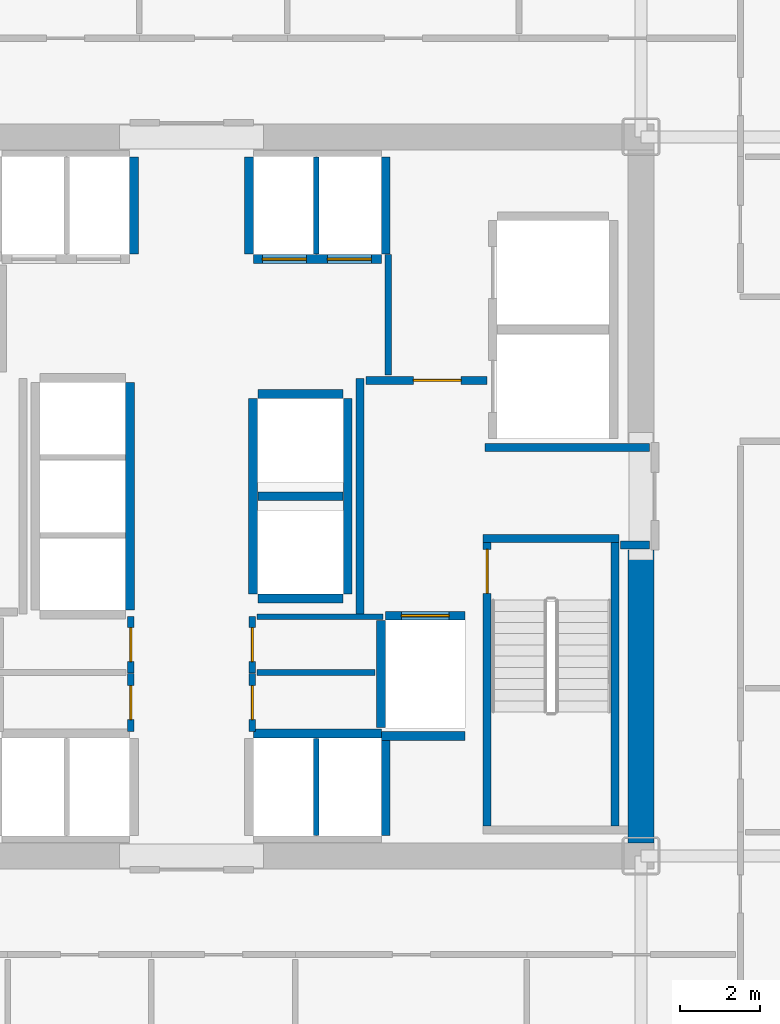
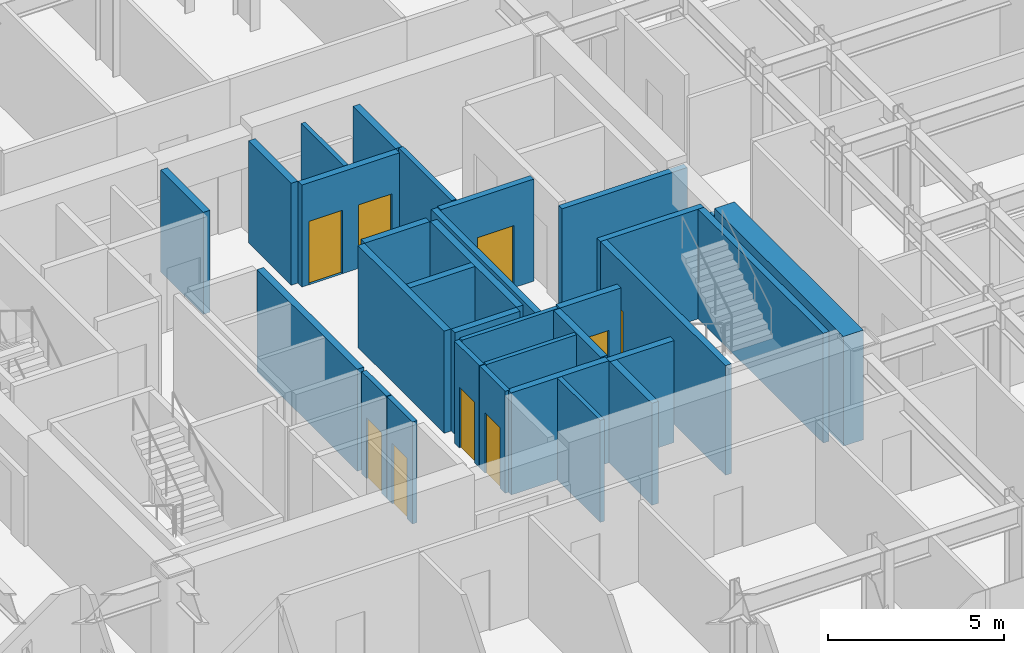
# One storey, part 22 of 26: 32 walls, 9 doors, 9 openings.
"""IFC4 building model written with IfcOpenShell, lengths in metres."""

from ifc_helpers import new_model, si_unit, direction, frame, frame_2d, origin, place, context, subcontext, project, spatial, rectangle, extrude, source, transform, mapped, material, layer, layer_set, type_object, element, fill, save


model = new_model("IFC4")

# Units and contexts
model_context = context("Model", 3, precision=1e-05, world=origin(), true_north=direction((0.0, 1.0)))
body_context = subcontext(model_context, "Body", "Model", "MODEL_VIEW")
ifc_project = project(units=[si_unit("LENGTHUNIT", "METRE"), si_unit("AREAUNIT", "SQUARE_METRE"), si_unit("VOLUMEUNIT", "CUBIC_METRE"), si_unit("PLANEANGLEUNIT", "RADIAN"), si_unit("MASSUNIT", "GRAM", prefix="KILO")], contexts=[model_context])

# Site, building, storey
site_placement = place(None, origin())
site = spatial("IfcSite", under=ifc_project, at=site_placement, CompositionType="ELEMENT")
building_placement = place(site_placement, origin())
building = spatial("IfcBuilding", under=site, at=building_placement, Name="Nefas-Gora Pilgrimage Tower", CompositionType="ELEMENT")
storey_placement = place(building_placement, frame((0.0, 0.0, 40.60009765625)))
storey = spatial("IfcBuildingStorey", under=building, at=storey_placement, Name="L08", CompositionType="ELEMENT", Elevation=40.60009765625)

# Walls
ifc_material_1 = material(Name="Concrete C60/75", Category="concrete")
ifc_layer_1 = layer(ifc_material_1, 0.64990234375)
ifc_layer_set_1 = layer_set([ifc_layer_1], Name="Concrete C60/75")
wall_type_1 = type_object("IfcWallType", Name="SW-CORE-650", PredefinedType="SHEAR", material=ifc_layer_set_1)
shared_shape_1 = source(origin(), body_context, "Body", "SweptSolid", [
    extrude(rectangle(XDim=7.324951171875, YDim=0.64990234375, at=frame_2d((3.66259765625, 0.0))), origin(), (0.0, 0.0, 1.0), 3.7998046875),
])
wall_1_placement = place(storey_placement, frame((11.25, -8.675048828125, 0.0), z_axis=(0.0, 0.0, 1.0), x_axis=(0.0, 1.0, 0.0)))
element("IfcWall", 1, at=wall_1_placement, inside=storey, type_object=wall_type_1, Name="L08 Core Shear Wall E-South", PredefinedType="SHEAR", context=body_context, shape_type="MappedRepresentation", body=[
    mapped(shared_shape_1, transform((0.0, 0.0, 0.0), x_axis=(1.0, 0.0, 0.0), y_axis=(0.0, 1.0, 0.0), z_axis=(0.0, 0.0, 1.0), scale=1.0)),
])
ifc_material_2 = material(Name="Concrete C45/55", Category="concrete")
ifc_layer_2 = layer(ifc_material_2, 0.199951171875)
ifc_layer_set_2 = layer_set([ifc_layer_2], Name="Concrete C45/55")
wall_type_2 = type_object("IfcWallType", Name="IW-STAIR-200", PredefinedType="SOLIDWALL", material=ifc_layer_set_2)
shared_shape_2 = source(origin(), body_context, "Body", "SweptSolid", [
    extrude(rectangle(XDim=3.39990234375, YDim=0.199951171875, at=frame_2d((1.699951171875, 0.0))), origin(), (0.0, 0.0, 1.0), 3.7998046875),
])
wall_2_placement = place(storey_placement, frame((7.300048828125, -1.050048828125, 0.0), z_axis=(0.0, 0.0, 1.0), x_axis=(1.0, 0.0, 0.0)))
element("IfcWall", 2, at=wall_2_placement, inside=storey, type_object=wall_type_2, Name="L08 Stairwell Shear Wall ST-02-near", PredefinedType="SOLIDWALL", context=body_context, shape_type="MappedRepresentation", body=[
    mapped(shared_shape_2, transform((0.0, 0.0, 0.0), x_axis=(1.0, 0.0, 0.0), y_axis=(0.0, 1.0, 0.0), z_axis=(0.0, 0.0, 1.0), scale=1.0)),
])

# Wall, opening, door
shared_shape_3 = source(origin(), body_context, "Body", "SweptSolid", [
    extrude(rectangle(XDim=7.10009765625, YDim=0.199951171875, at=frame_2d((3.550048828125, 0.0))), origin(), (0.0, 0.0, 1.0), 3.7998046875),
])
wall_3_placement = place(storey_placement, frame((7.39990234375, -1.14990234375, 0.0), z_axis=(0.0, 0.0, 1.0), x_axis=(0.0, -1.0, 0.0)))
wall_3 = element("IfcWall", 3, at=wall_3_placement, inside=storey, type_object=wall_type_2, Name="L08 Stairwell Shear Wall ST-02-left", PredefinedType="SOLIDWALL", context=body_context, shape_type="MappedRepresentation", body=[
    mapped(shared_shape_3, transform((0.0, 0.0, 0.0), x_axis=(1.0, 0.0, 0.0), y_axis=(0.0, 1.0, 0.0), z_axis=(0.0, 0.0, 1.0), scale=1.0)),
])
opening_1_placement = place(wall_3_placement, frame((0.179931640625, 0.0, 0.0)))
opening_1 = element("IfcOpeningElement", 4, at=opening_1_placement, cuts=wall_3, Name="Opening ID-ST1", PredefinedType="OPENING", context=body_context, shape_type="SweptSolid", body=[
    extrude(rectangle(XDim=1.10009765625, YDim=2.14990234375, at=frame_2d((0.550048828125, 1.074951171875))), frame((0.0, 0.10986328125, 0.0), z_axis=(0.0, -1.0, 0.0), x_axis=(1.0, 0.0, 0.0)), (0.0, 0.0, 1.0), 0.219970703125),
])
ifc_material_3 = material(Name="Painted galvanised steel fire stair door", Category="steel")
door_type_1 = type_object("IfcDoorType", Name="DR-INT-STAIR-1100", OperationType="NOTDEFINED", PredefinedType="DOOR", material=ifc_material_3)
shared_shape_4 = source(origin(), body_context, "Body", "SweptSolid", [
    extrude(rectangle(XDim=1.10009765625, YDim=2.14990234375, at=frame_2d((0.550048828125, 1.074951171875))), frame((0.0, 0.02490234375, 0.0), z_axis=(0.0, -1.0, 0.0), x_axis=(1.0, 0.0, 0.0)), (0.0, 0.0, 1.0), 0.050048828125),
])
door_1_placement = place(opening_1_placement, origin())
door_1 = element("IfcDoor", 5, at=door_1_placement, inside=storey, type_object=door_type_1, Name="L08 Protected Exit Stair Door ST-02", OperationType="SINGLE_SWING_LEFT", OverallHeight=2.14990234375, OverallWidth=1.10009765625, PredefinedType="DOOR", context=body_context, shape_type="MappedRepresentation", body=[
    mapped(shared_shape_4, transform((0.0, 0.0, 0.0), x_axis=(1.0, 0.0, 0.0), y_axis=(0.0, 1.0, 0.0), z_axis=(0.0, 0.0, 1.0), scale=1.0)),
])
fill(opening_1, door_1)

# Wall
wall_4_placement = place(storey_placement, frame((10.60009765625, -1.14990234375, 0.0), z_axis=(0.0, 0.0, 1.0), x_axis=(0.0, -1.0, 0.0)))
element("IfcWall", 6, at=wall_4_placement, inside=storey, type_object=wall_type_2, Name="L08 Stairwell Shear Wall ST-02-right", PredefinedType="SOLIDWALL", context=body_context, shape_type="MappedRepresentation", body=[
    mapped(shared_shape_3, transform((0.0, 0.0, 0.0), x_axis=(1.0, 0.0, 0.0), y_axis=(0.0, 1.0, 0.0), z_axis=(0.0, 0.0, 1.0), scale=1.0)),
])

# Wall, opening, door
ifc_material_4 = material(Name="Concrete C40/50", Category="concrete")
ifc_layer_3 = layer(ifc_material_4, 0.219970703125)
ifc_layer_set_3 = layer_set([ifc_layer_3], Name="Concrete C40/50")
wall_type_3 = type_object("IfcWallType", Name="IW-SHAFT-220", PredefinedType="SOLIDWALL", material=ifc_layer_set_3)
shared_shape_5 = source(origin(), body_context, "Body", "SweptSolid", [
    extrude(rectangle(XDim=2.0, YDim=0.219970703125, at=frame_2d((1.0, 0.0))), origin(), (0.0, 0.0, 1.0), 3.534912109375),
])
wall_5_placement = place(storey_placement, frame((6.85009765625, -2.989990234375, 0.0), z_axis=(0.0, 0.0, 1.0), x_axis=(-1.0, 0.0, 0.0)))
wall_5 = element("IfcWall", 7, at=wall_5_placement, inside=storey, type_object=wall_type_3, Name="L08 Hoistway Wall FFL-02-N", PredefinedType="SOLIDWALL", context=body_context, shape_type="MappedRepresentation", body=[
    mapped(shared_shape_5, transform((0.0, 0.0, 0.0), x_axis=(1.0, 0.0, 0.0), y_axis=(0.0, 1.0, 0.0), z_axis=(0.0, 0.0, 1.0), scale=1.0)),
])
opening_2_placement = place(wall_5_placement, frame((0.39990234375, 0.0, 0.0)))
opening_2 = element("IfcOpeningElement", 8, at=opening_2_placement, cuts=wall_5, Name="Opening LD-FF", PredefinedType="OPENING", context=body_context, shape_type="SweptSolid", body=[
    extrude(rectangle(XDim=1.199951171875, YDim=2.199951171875, at=frame_2d((0.60009765625, 1.10009765625))), frame((0.0, 0.119873046875, 0.0), z_axis=(0.0, -1.0, 0.0), x_axis=(1.0, 0.0, 0.0)), (0.0, 0.0, 1.0), 0.239990234375),
])
ifc_material_5 = material(Name="Fire-service sliding lift landing door")
door_type_2 = type_object("IfcDoorType", Name="DR-LIFT-FSAE-1200", OperationType="SLIDING_TO_LEFT", PredefinedType="DOOR", material=ifc_material_5)
shared_shape_6 = source(origin(), body_context, "Body", "SweptSolid", [
    extrude(rectangle(XDim=1.199951171875, YDim=2.199951171875, at=frame_2d((0.60009765625, 1.10009765625))), frame((0.0, 0.02490234375, 0.0), z_axis=(0.0, -1.0, 0.0), x_axis=(1.0, 0.0, 0.0)), (0.0, 0.0, 1.0), 0.050048828125),
])
door_2_placement = place(opening_2_placement, origin())
door_2 = element("IfcDoor", 9, at=door_2_placement, inside=storey, type_object=door_type_2, Name="L08 Sliding Lift Landing Door FFL-02", OperationType="SLIDING_TO_LEFT", OverallHeight=2.199951171875, OverallWidth=1.199951171875, PredefinedType="DOOR", context=body_context, shape_type="MappedRepresentation", body=[
    mapped(shared_shape_6, transform((0.0, 0.0, 0.0), x_axis=(1.0, 0.0, 0.0), y_axis=(0.0, 1.0, 0.0), z_axis=(0.0, 0.0, 1.0), scale=1.0)),
])
fill(opening_2, door_2)

# Wall
shared_shape_7 = source(origin(), body_context, "Body", "SweptSolid", [
    extrude(rectangle(XDim=2.679931640625, YDim=0.219970703125, at=frame_2d((1.33984375, 0.0))), origin(), (0.0, 0.0, 1.0), 3.534912109375),
])
wall_6_placement = place(storey_placement, frame((4.739990234375, -3.110107421875, 0.0), z_axis=(0.0, 0.0, 1.0), x_axis=(0.0, -1.0, 0.0)))
element("IfcWall", 10, at=wall_6_placement, inside=storey, type_object=wall_type_3, Name="L08 Hoistway Wall FFL-02-W", PredefinedType="SOLIDWALL", context=body_context, shape_type="MappedRepresentation", body=[
    mapped(shared_shape_7, transform((0.0, 0.0, 0.0), x_axis=(1.0, 0.0, 0.0), y_axis=(0.0, 1.0, 0.0), z_axis=(0.0, 0.0, 1.0), scale=1.0)),
])

# Wall, openings, doors
shared_shape_8 = source(origin(), body_context, "Body", "SweptSolid", [
    extrude(rectangle(XDim=3.199951171875, YDim=0.219970703125, at=frame_2d((1.60009765625, 0.0))), origin(), (0.0, 0.0, 1.0), 3.534912109375),
])
wall_7_placement = place(storey_placement, frame((1.550048828125, 5.93994140625, 0.0), z_axis=(0.0, 0.0, 1.0), x_axis=(1.0, 0.0, 0.0)))
wall_7 = element("IfcWall", 11, at=wall_7_placement, inside=storey, type_object=wall_type_3, Name="L08 Hoistway Wall PL1-E-S", PredefinedType="SOLIDWALL", context=body_context, shape_type="MappedRepresentation", body=[
    mapped(shared_shape_8, transform((0.0, 0.0, 0.0), x_axis=(1.0, 0.0, 0.0), y_axis=(0.0, 1.0, 0.0), z_axis=(0.0, 0.0, 1.0), scale=1.0)),
])
opening_3_placement = place(wall_7_placement, frame((0.22509765625, 0.0, 0.0)))
opening_3 = element("IfcOpeningElement", 12, at=opening_3_placement, cuts=wall_7, Name="Opening LD-01", PredefinedType="OPENING", context=body_context, shape_type="SweptSolid", body=[
    extrude(rectangle(XDim=1.10009765625, YDim=2.199951171875, at=frame_2d((0.550048828125, 1.10009765625))), frame((0.0, 0.119873046875, 0.0), z_axis=(0.0, -1.0, 0.0), x_axis=(1.0, 0.0, 0.0)), (0.0, 0.0, 1.0), 0.239990234375),
])
opening_4_placement = place(wall_7_placement, frame((1.85009765625, 0.0, 0.0)))
opening_4 = element("IfcOpeningElement", 13, at=opening_4_placement, cuts=wall_7, Name="Opening LD-01", PredefinedType="OPENING", context=body_context, shape_type="SweptSolid", body=[
    extrude(rectangle(XDim=1.10009765625, YDim=2.199951171875, at=frame_2d((0.550048828125, 1.10009765625))), frame((0.0, 0.119873046875, 0.0), z_axis=(0.0, -1.0, 0.0), x_axis=(1.0, 0.0, 0.0)), (0.0, 0.0, 1.0), 0.239990234375),
])
ifc_material_6 = material(Name="Brushed stainless sliding lift landing door")
door_type_3 = type_object("IfcDoorType", Name="DR-LIFT-PASS-1100", OperationType="DOUBLE_DOOR_SLIDING", PredefinedType="DOOR", material=ifc_material_6)
shared_shape_9 = source(origin(), body_context, "Body", "SweptSolid", [
    extrude(rectangle(XDim=1.10009765625, YDim=2.199951171875, at=frame_2d((0.550048828125, 1.10009765625))), frame((0.0, 0.02490234375, 0.0), z_axis=(0.0, -1.0, 0.0), x_axis=(1.0, 0.0, 0.0)), (0.0, 0.0, 1.0), 0.050048828125),
])
door_3_placement = place(opening_3_placement, origin())
door_3 = element("IfcDoor", 14, at=door_3_placement, inside=storey, type_object=door_type_3, Name="L08 Sliding Lift Landing Door PL1-03", OperationType="DOUBLE_DOOR_SLIDING", OverallHeight=2.199951171875, OverallWidth=1.10009765625, PredefinedType="DOOR", context=body_context, shape_type="MappedRepresentation", body=[
    mapped(shared_shape_9, transform((0.0, 0.0, 0.0), x_axis=(1.0, 0.0, 0.0), y_axis=(0.0, 1.0, 0.0), z_axis=(0.0, 0.0, 1.0), scale=1.0)),
])
fill(opening_3, door_3)
door_4_placement = place(opening_4_placement, origin())
door_4 = element("IfcDoor", 15, at=door_4_placement, inside=storey, type_object=door_type_3, Name="L08 Sliding Lift Landing Door PL1-04", OperationType="DOUBLE_DOOR_SLIDING", OverallHeight=2.199951171875, OverallWidth=1.10009765625, PredefinedType="DOOR", context=body_context, shape_type="MappedRepresentation", body=[
    mapped(shared_shape_9, transform((0.0, 0.0, 0.0), x_axis=(1.0, 0.0, 0.0), y_axis=(0.0, 1.0, 0.0), z_axis=(0.0, 0.0, 1.0), scale=1.0)),
])
fill(opening_4, door_4)

# Walls
wall_8_placement = place(storey_placement, frame((4.75, -5.93994140625, 0.0), z_axis=(0.0, 0.0, 1.0), x_axis=(-1.0, 0.0, 0.0)))
element("IfcWall", 16, at=wall_8_placement, inside=storey, type_object=wall_type_3, Name="L08 Hoistway Wall PL2-E-N", PredefinedType="SOLIDWALL", context=body_context, shape_type="MappedRepresentation", body=[
    mapped(shared_shape_8, transform((0.0, 0.0, 0.0), x_axis=(1.0, 0.0, 0.0), y_axis=(0.0, 1.0, 0.0), z_axis=(0.0, 0.0, 1.0), scale=1.0)),
])
shared_shape_10 = source(origin(), body_context, "Body", "SweptSolid", [
    extrude(rectangle(XDim=2.429931640625, YDim=0.219970703125, at=frame_2d((1.21484375, 0.0))), origin(), (0.0, 0.0, 1.0), 3.534912109375),
])
for number, where, z_axis, x_axis, name in (
    (17, (-1.43994140625, 6.06005859375, 0.0), (0.0, 0.0, 1.0), (0.0, 1.0, 0.0), "L08 Hoistway Wall PL1-W-E"),
    (18, (1.43994140625, 8.489990234375, 0.0), (0.0, 0.0, 1.0), (0.0, -1.0, 0.0), "L08 Hoistway Wall PL1-E-W"),
    (19, (4.860107421875, 6.06005859375, 0.0), (0.0, 0.0, 1.0), (0.0, 1.0, 0.0), "L08 Hoistway Wall PL1-E-E"),
    (20, (4.860107421875, -8.489990234375, 0.0), (0.0, 0.0, 1.0), (0.0, 1.0, 0.0), "L08 Hoistway Wall PL2-E-E"),
):
    element("IfcWall", number, at=place(storey_placement, frame(where, z_axis=z_axis, x_axis=x_axis)), inside=storey, type_object=wall_type_3, Name=name, PredefinedType="SOLIDWALL", context=body_context, shape_type="MappedRepresentation", body=[
        mapped(shared_shape_10, transform((0.0, 0.0, 0.0), x_axis=(1.0, 0.0, 0.0), y_axis=(0.0, 1.0, 0.0), z_axis=(0.0, 0.0, 1.0), scale=1.0)),
    ])
ifc_material_7 = material(Name="Gypsum twin-stud partition")
ifc_layer_4 = layer(ifc_material_7, 0.139892578125)
ifc_layer_set_4 = layer_set([ifc_layer_4], Name="Gypsum twin-stud partition")
wall_type_4 = type_object("IfcWallType", Name="IW-UNIT-140", PredefinedType="PARTITIONING", material=ifc_layer_set_4)
shared_shape_11 = source(origin(), body_context, "Body", "SweptSolid", [
    extrude(rectangle(XDim=2.429931640625, YDim=0.139892578125, at=frame_2d((1.21484375, 0.0))), origin(), (0.0, 0.0, 1.0), 3.534912109375),
])
for number, where, z_axis, x_axis, name in (
    (21, (3.125, 6.06005859375, 0.0), (0.0, 0.0, 1.0), (0.0, 1.0, 0.0), "L08 Hoistway Wall PL1-E-DIV"),
    (22, (3.125, -8.489990234375, 0.0), (0.0, 0.0, 1.0), (0.0, 1.0, 0.0), "L08 Hoistway Wall PL2-E-DIV"),
):
    element("IfcWall", number, at=place(storey_placement, frame(where, z_axis=z_axis, x_axis=x_axis)), inside=storey, type_object=wall_type_4, Name=name, PredefinedType="PARTITIONING", context=body_context, shape_type="MappedRepresentation", body=[
        mapped(shared_shape_11, transform((0.0, 0.0, 0.0), x_axis=(1.0, 0.0, 0.0), y_axis=(0.0, 1.0, 0.0), z_axis=(0.0, 0.0, 1.0), scale=1.0)),
    ])
shared_shape_12 = source(origin(), body_context, "Body", "SweptSolid", [
    extrude(rectangle(XDim=5.7001953125, YDim=0.219970703125, at=frame_2d((2.85009765625, 0.0))), origin(), (0.0, 0.0, 1.0), 3.534912109375),
])
wall_9_placement = place(storey_placement, frame((-1.5400390625, -2.85009765625, 0.0), z_axis=(0.0, 0.0, 1.0), x_axis=(0.0, 1.0, 0.0)))
element("IfcWall", 23, at=wall_9_placement, inside=storey, type_object=wall_type_3, Name="L08 Hoistway Wall PL3-01-03-E", PredefinedType="SOLIDWALL", context=body_context, shape_type="MappedRepresentation", body=[
    mapped(shared_shape_12, transform((0.0, 0.0, 0.0), x_axis=(1.0, 0.0, 0.0), y_axis=(0.0, 1.0, 0.0), z_axis=(0.0, 0.0, 1.0), scale=1.0)),
])
shared_shape_13 = source(origin(), body_context, "Body", "SweptSolid", [
    extrude(rectangle(XDim=2.130126953125, YDim=0.219970703125, at=frame_2d((1.06494140625, 0.0))), origin(), (0.0, 0.0, 1.0), 3.534912109375),
])
for number, where, z_axis, x_axis, name in (
    (24, (1.659912109375, -2.56005859375, 0.0), (0.0, 0.0, 1.0), (1.0, 0.0, 0.0), "L08 Hoistway Wall OBS-01-S"),
    (25, (1.659912109375, 0.0, 0.0), (0.0, 0.0, 1.0), (1.0, 0.0, 0.0), "L08 Hoistway Wall OBS-01-02-DIV"),
    (26, (3.7900390625, 2.56005859375, 0.0), (0.0, 0.0, 1.0), (-1.0, 0.0, 0.0), "L08 Hoistway Wall OBS-02-N"),
):
    element("IfcWall", number, at=place(storey_placement, frame(where, z_axis=z_axis, x_axis=x_axis)), inside=storey, type_object=wall_type_3, Name=name, PredefinedType="SOLIDWALL", context=body_context, shape_type="MappedRepresentation", body=[
        mapped(shared_shape_13, transform((0.0, 0.0, 0.0), x_axis=(1.0, 0.0, 0.0), y_axis=(0.0, 1.0, 0.0), z_axis=(0.0, 0.0, 1.0), scale=1.0)),
    ])
shared_shape_14 = source(origin(), body_context, "Body", "SweptSolid", [
    extrude(rectangle(XDim=4.89990234375, YDim=0.219970703125, at=frame_2d((2.449951171875, 0.0))), origin(), (0.0, 0.0, 1.0), 3.534912109375),
])
for number, where, z_axis, x_axis, name in (
    (27, (1.5400390625, 2.449951171875, 0.0), (0.0, 0.0, 1.0), (0.0, -1.0, 0.0), "L08 Hoistway Wall OBS-01-02-W"),
    (28, (3.909912109375, -2.449951171875, 0.0), (0.0, 0.0, 1.0), (0.0, 1.0, 0.0), "L08 Hoistway Wall OBS-01-02-E"),
):
    element("IfcWall", number, at=place(storey_placement, frame(where, z_axis=z_axis, x_axis=x_axis)), inside=storey, type_object=wall_type_3, Name=name, PredefinedType="SOLIDWALL", context=body_context, shape_type="MappedRepresentation", body=[
        mapped(shared_shape_14, transform((0.0, 0.0, 0.0), x_axis=(1.0, 0.0, 0.0), y_axis=(0.0, 1.0, 0.0), z_axis=(0.0, 0.0, 1.0), scale=1.0)),
    ])
shared_shape_15 = source(origin(), body_context, "Body", "SweptSolid", [
    extrude(rectangle(XDim=2.09521484375, YDim=0.219970703125, at=frame_2d((1.047607421875, 0.0))), origin(), (0.0, 0.0, 1.0), 3.534912109375),
])
wall_10_placement = place(storey_placement, frame((4.7548828125, -6.0, 0.0), z_axis=(0.0, 0.0, 1.0), x_axis=(1.0, 0.0, 0.0)))
element("IfcWall", 29, at=wall_10_placement, inside=storey, type_object=wall_type_3, Name="L08 Riser Shaft Wall 2", PredefinedType="SOLIDWALL", context=body_context, shape_type="MappedRepresentation", body=[
    mapped(shared_shape_15, transform((0.0, 0.0, 0.0), x_axis=(1.0, 0.0, 0.0), y_axis=(0.0, 1.0, 0.0), z_axis=(0.0, 0.0, 1.0), scale=1.0)),
])
ifc_material_8 = material(Name="Gypsum fire-rated shaftwall")
ifc_layer_5 = layer(ifc_material_8, 0.199951171875)
ifc_layer_set_5 = layer_set([ifc_layer_5], Name="Gypsum fire-rated shaftwall")
wall_type_5 = type_object("IfcWallType", Name="IW-FFLOB-200", PredefinedType="PARTITIONING", material=ifc_layer_set_5)
shared_shape_16 = source(origin(), body_context, "Body", "SweptSolid", [
    extrude(rectangle(XDim=5.89990234375, YDim=0.199951171875, at=frame_2d((2.949951171875, 0.0))), origin(), (0.0, 0.0, 1.0), 3.534912109375),
])
wall_11_placement = place(storey_placement, frame((4.219970703125, -2.949951171875, 0.0), z_axis=(0.0, 0.0, 1.0), x_axis=(0.0, 1.0, 0.0)))
element("IfcWall", 30, at=wall_11_placement, inside=storey, type_object=wall_type_5, Name="L08 FF Lobby East Inner Wall Wall 9", PredefinedType="PARTITIONING", context=body_context, shape_type="MappedRepresentation", body=[
    mapped(shared_shape_16, transform((0.0, 0.0, 0.0), x_axis=(1.0, 0.0, 0.0), y_axis=(0.0, 1.0, 0.0), z_axis=(0.0, 0.0, 1.0), scale=1.0)),
])
shared_shape_17 = source(origin(), body_context, "Body", "SweptSolid", [
    extrude(rectangle(XDim=0.719970703125, YDim=0.199951171875, at=frame_2d((0.35986328125, 0.0))), origin(), (0.0, 0.0, 1.0), 3.534912109375),
])
wall_12_placement = place(storey_placement, frame((10.739990234375, -1.219970703125, 0.0), z_axis=(0.0, 0.0, 1.0), x_axis=(1.0, 0.0, 0.0)))
element("IfcWall", 31, at=wall_12_placement, inside=storey, type_object=wall_type_5, Name="L08 FF Lobby East Throat S Wall 12", PredefinedType="PARTITIONING", context=body_context, shape_type="MappedRepresentation", body=[
    mapped(shared_shape_17, transform((0.0, 0.0, 0.0), x_axis=(1.0, 0.0, 0.0), y_axis=(0.0, 1.0, 0.0), z_axis=(0.0, 0.0, 1.0), scale=1.0)),
])

# Wall, opening, door
shared_shape_18 = source(origin(), body_context, "Body", "SweptSolid", [
    extrude(rectangle(XDim=3.039794921875, YDim=0.199951171875, at=frame_2d((1.52001953125, 0.0))), origin(), (0.0, 0.0, 1.0), 3.534912109375),
])
wall_13_placement = place(storey_placement, frame((4.360107421875, 2.89990234375, 0.0), z_axis=(0.0, 0.0, 1.0), x_axis=(1.0, 0.0, 0.0)))
wall_13 = element("IfcWall", 32, at=wall_13_placement, inside=storey, type_object=wall_type_5, Name="L08 FF Lobby East North Wall Wall 10", PredefinedType="PARTITIONING", context=body_context, shape_type="MappedRepresentation", body=[
    mapped(shared_shape_18, transform((0.0, 0.0, 0.0), x_axis=(1.0, 0.0, 0.0), y_axis=(0.0, 1.0, 0.0), z_axis=(0.0, 0.0, 1.0), scale=1.0)),
])
opening_5_placement = place(wall_13_placement, frame((1.18994140625, 0.0, 0.0)))
opening_5 = element("IfcOpeningElement", 33, at=opening_5_placement, cuts=wall_13, Name="Opening ID-PL1", PredefinedType="OPENING", context=body_context, shape_type="SweptSolid", body=[
    extrude(rectangle(XDim=1.199951171875, YDim=2.14990234375, at=frame_2d((0.60009765625, 1.074951171875))), frame((0.0, 0.10986328125, 0.0), z_axis=(0.0, -1.0, 0.0), x_axis=(1.0, 0.0, 0.0)), (0.0, 0.0, 1.0), 0.219970703125),
])
ifc_material_9 = material(Name="Heavy-duty steel plant room fire door", Category="steel")
door_type_4 = type_object("IfcDoorType", Name="DR-INT-PLANT-1200", OperationType="NOTDEFINED", PredefinedType="DOOR", material=ifc_material_9)
shared_shape_19 = source(origin(), body_context, "Body", "SweptSolid", [
    extrude(rectangle(XDim=1.199951171875, YDim=2.14990234375, at=frame_2d((0.60009765625, 1.074951171875))), frame((0.0, 0.02490234375, 0.0), z_axis=(0.0, -1.0, 0.0), x_axis=(1.0, 0.0, 0.0)), (0.0, 0.0, 1.0), 0.050048828125),
])
door_5_placement = place(opening_5_placement, origin())
door_5 = element("IfcDoor", 34, at=door_5_placement, inside=storey, type_object=door_type_4, Name="L08 Service Lift Lobby Door Door 3", OperationType="SINGLE_SWING_LEFT", OverallHeight=2.14990234375, OverallWidth=1.199951171875, PredefinedType="DOOR", context=body_context, shape_type="MappedRepresentation", body=[
    mapped(shared_shape_19, transform((0.0, 0.0, 0.0), x_axis=(1.0, 0.0, 0.0), y_axis=(0.0, 1.0, 0.0), z_axis=(0.0, 0.0, 1.0), scale=1.0)),
])
fill(opening_5, door_5)

# Walls
shared_shape_20 = source(origin(), body_context, "Body", "SweptSolid", [
    extrude(rectangle(XDim=4.10986328125, YDim=0.199951171875, at=frame_2d((2.054931640625, 0.0))), origin(), (0.0, 0.0, 1.0), 3.534912109375),
])
wall_14_placement = place(storey_placement, frame((7.35009765625, 1.219970703125, 0.0), z_axis=(0.0, 0.0, 1.0), x_axis=(1.0, 0.0, 0.0)))
element("IfcWall", 35, at=wall_14_placement, inside=storey, type_object=wall_type_5, Name="L08 FF Lobby East Throat N Wall 11", PredefinedType="PARTITIONING", context=body_context, shape_type="MappedRepresentation", body=[
    mapped(shared_shape_20, transform((0.0, 0.0, 0.0), x_axis=(1.0, 0.0, 0.0), y_axis=(0.0, 1.0, 0.0), z_axis=(0.0, 0.0, 1.0), scale=1.0)),
])
ifc_material_10 = material(Name="Gypsum acoustic stud partition")
ifc_layer_6 = layer(ifc_material_10, 0.159912109375)
ifc_layer_set_6 = layer_set([ifc_layer_6], Name="Gypsum acoustic stud partition")
wall_type_6 = type_object("IfcWallType", Name="IW-CORR-160", PredefinedType="PARTITIONING", material=ifc_layer_set_6)
shared_shape_21 = source(origin(), body_context, "Body", "SweptSolid", [
    extrude(rectangle(XDim=3.014892578125, YDim=0.159912109375, at=frame_2d((1.50732421875, 0.0))), origin(), (0.0, 0.0, 1.0), 3.534912109375),
])
wall_15_placement = place(storey_placement, frame((4.919921875, 3.0400390625, 0.0), z_axis=(0.0, 0.0, 1.0), x_axis=(0.0, 1.0, 0.0)))
element("IfcWall", 36, at=wall_15_placement, inside=storey, type_object=wall_type_6, Name="L08 Service Lift Lobby West Wall Wall 15", PredefinedType="PARTITIONING", context=body_context, shape_type="MappedRepresentation", body=[
    mapped(shared_shape_21, transform((0.0, 0.0, 0.0), x_axis=(1.0, 0.0, 0.0), y_axis=(0.0, 1.0, 0.0), z_axis=(0.0, 0.0, 1.0), scale=1.0)),
])
shared_shape_22 = source(origin(), body_context, "Body", "SweptSolid", [
    extrude(rectangle(XDim=2.9501953125, YDim=0.139892578125, at=frame_2d((1.47509765625, 0.0))), origin(), (0.0, 0.0, 1.0), 3.534912109375),
])
wall_16_placement = place(storey_placement, frame((1.639892578125, -4.409912109375, 0.0), z_axis=(0.0, 0.0, 1.0), x_axis=(1.0, 0.0, 0.0)))
element("IfcWall", 37, at=wall_16_placement, inside=storey, type_object=wall_type_4, Name="L08 Clean Blanket and Robe Store Partition Wall 23", PredefinedType="PARTITIONING", context=body_context, shape_type="MappedRepresentation", body=[
    mapped(shared_shape_22, transform((0.0, 0.0, 0.0), x_axis=(1.0, 0.0, 0.0), y_axis=(0.0, 1.0, 0.0), z_axis=(0.0, 0.0, 1.0), scale=1.0)),
])

# Wall, opening, door
shared_shape_23 = source(origin(), body_context, "Body", "SweptSolid", [
    extrude(rectangle(XDim=1.409912109375, YDim=0.159912109375, at=frame_2d((0.705078125, 0.0))), origin(), (0.0, 0.0, 1.0), 3.534912109375),
])
wall_17_placement = place(storey_placement, frame((-1.52001953125, -4.419921875, 0.0), z_axis=(0.0, 0.0, 1.0), x_axis=(0.0, 1.0, 0.0)))
wall_17 = element("IfcWall", 38, at=wall_17_placement, inside=storey, type_object=wall_type_6, Name="L08 Housekeeping and Linen Store Wall 16", PredefinedType="PARTITIONING", context=body_context, shape_type="MappedRepresentation", body=[
    mapped(shared_shape_23, transform((0.0, 0.0, 0.0), x_axis=(1.0, 0.0, 0.0), y_axis=(0.0, 1.0, 0.0), z_axis=(0.0, 0.0, 1.0), scale=1.0)),
])
opening_6_placement = place(wall_17_placement, frame((0.280029296875, 0.0, 0.0)))
opening_6 = element("IfcOpeningElement", 39, at=opening_6_placement, cuts=wall_17, Name="Opening ID-BT1", PredefinedType="OPENING", context=body_context, shape_type="SweptSolid", body=[
    extrude(rectangle(XDim=0.85009765625, YDim=2.10009765625, at=frame_2d((0.425048828125, 1.050048828125))), frame((0.0, 0.08984375, 0.0), z_axis=(0.0, -1.0, 0.0), x_axis=(1.0, 0.0, 0.0)), (0.0, 0.0, 1.0), 0.179931640625),
])
ifc_material_11 = material(Name="Moisture-resistant fire-rated timber door", Category="wood")
door_type_5 = type_object("IfcDoorType", Name="DR-INT-BATH-850", OperationType="NOTDEFINED", PredefinedType="DOOR", material=ifc_material_11)
shared_shape_24 = source(origin(), body_context, "Body", "SweptSolid", [
    extrude(rectangle(XDim=0.85009765625, YDim=2.10009765625, at=frame_2d((0.425048828125, 1.050048828125))), frame((0.0, 0.02490234375, 0.0), z_axis=(0.0, -1.0, 0.0), x_axis=(1.0, 0.0, 0.0)), (0.0, 0.0, 1.0), 0.050048828125),
])
door_6_placement = place(opening_6_placement, origin())
door_6 = element("IfcDoor", 40, at=door_6_placement, inside=storey, type_object=door_type_5, Name="L08 Housekeeping and Linen Store Door 6", OperationType="SINGLE_SWING_RIGHT", OverallHeight=2.10009765625, OverallWidth=0.85009765625, PredefinedType="DOOR", context=body_context, shape_type="MappedRepresentation", body=[
    mapped(shared_shape_24, transform((0.0, 0.0, 0.0), x_axis=(1.0, 0.0, 0.0), y_axis=(0.0, 1.0, 0.0), z_axis=(0.0, 0.0, 1.0), scale=1.0)),
])
fill(opening_6, door_6)

wall_18_placement = place(storey_placement, frame((1.52001953125, -4.419921875, 0.0), z_axis=(0.0, 0.0, 1.0), x_axis=(0.0, 1.0, 0.0)))
wall_18 = element("IfcWall", 41, at=wall_18_placement, inside=storey, type_object=wall_type_6, Name="L08 Clean Blanket and Robe Store Wall 21", PredefinedType="PARTITIONING", context=body_context, shape_type="MappedRepresentation", body=[
    mapped(shared_shape_23, transform((0.0, 0.0, 0.0), x_axis=(1.0, 0.0, 0.0), y_axis=(0.0, 1.0, 0.0), z_axis=(0.0, 0.0, 1.0), scale=1.0)),
])
opening_7_placement = place(wall_18_placement, frame((0.280029296875, 0.0, 0.0)))
opening_7 = element("IfcOpeningElement", 42, at=opening_7_placement, cuts=wall_18, Name="Opening ID-BT1", PredefinedType="OPENING", context=body_context, shape_type="SweptSolid", body=[
    extrude(rectangle(XDim=0.85009765625, YDim=2.10009765625, at=frame_2d((0.425048828125, 1.050048828125))), frame((0.0, 0.08984375, 0.0), z_axis=(0.0, -1.0, 0.0), x_axis=(1.0, 0.0, 0.0)), (0.0, 0.0, 1.0), 0.179931640625),
])
door_7_placement = place(opening_7_placement, origin())
door_7 = element("IfcDoor", 43, at=door_7_placement, inside=storey, type_object=door_type_5, Name="L08 Clean Blanket and Robe Store Door 8", OperationType="SINGLE_SWING_RIGHT", OverallHeight=2.10009765625, OverallWidth=0.85009765625, PredefinedType="DOOR", context=body_context, shape_type="MappedRepresentation", body=[
    mapped(shared_shape_24, transform((0.0, 0.0, 0.0), x_axis=(1.0, 0.0, 0.0), y_axis=(0.0, 1.0, 0.0), z_axis=(0.0, 0.0, 1.0), scale=1.0)),
])
fill(opening_7, door_7)

# Wall
shared_shape_25 = source(origin(), body_context, "Body", "SweptSolid", [
    extrude(rectangle(XDim=3.150146484375, YDim=0.139892578125, at=frame_2d((1.5751953125, 0.0))), origin(), (0.0, 0.0, 1.0), 3.534912109375),
])
wall_19_placement = place(storey_placement, frame((1.639892578125, -3.02001953125, 0.0), z_axis=(0.0, 0.0, 1.0), x_axis=(1.0, 0.0, 0.0)))
element("IfcWall", 44, at=wall_19_placement, inside=storey, type_object=wall_type_4, Name="L08 Clean Blanket and Robe Store Partition Wall 22", PredefinedType="PARTITIONING", context=body_context, shape_type="MappedRepresentation", body=[
    mapped(shared_shape_25, transform((0.0, 0.0, 0.0), x_axis=(1.0, 0.0, 0.0), y_axis=(0.0, 1.0, 0.0), z_axis=(0.0, 0.0, 1.0), scale=1.0)),
])

# Wall, opening, door
shared_shape_26 = source(origin(), body_context, "Body", "SweptSolid", [
    extrude(rectangle(XDim=1.449951171875, YDim=0.159912109375, at=frame_2d((0.72509765625, 0.0))), origin(), (0.0, 0.0, 1.0), 3.534912109375),
])
wall_20_placement = place(storey_placement, frame((-1.52001953125, -5.889892578125, 0.0), z_axis=(0.0, 0.0, 1.0), x_axis=(0.0, 1.0, 0.0)))
wall_20 = element("IfcWall", 45, at=wall_20_placement, inside=storey, type_object=wall_type_6, Name="L08 Guest Self-Service Laundry Room Wall 19", PredefinedType="PARTITIONING", context=body_context, shape_type="MappedRepresentation", body=[
    mapped(shared_shape_26, transform((0.0, 0.0, 0.0), x_axis=(1.0, 0.0, 0.0), y_axis=(0.0, 1.0, 0.0), z_axis=(0.0, 0.0, 1.0), scale=1.0)),
])
opening_8_placement = place(wall_20_placement, frame((0.300048828125, 0.0, 0.0)))
opening_8 = element("IfcOpeningElement", 46, at=opening_8_placement, cuts=wall_20, Name="Opening ID-BT1", PredefinedType="OPENING", context=body_context, shape_type="SweptSolid", body=[
    extrude(rectangle(XDim=0.85009765625, YDim=2.10009765625, at=frame_2d((0.425048828125, 1.050048828125))), frame((0.0, 0.08984375, 0.0), z_axis=(0.0, -1.0, 0.0), x_axis=(1.0, 0.0, 0.0)), (0.0, 0.0, 1.0), 0.179931640625),
])
door_8_placement = place(opening_8_placement, origin())
door_8 = element("IfcDoor", 47, at=door_8_placement, inside=storey, type_object=door_type_5, Name="L08 Guest Self-Service Laundry Room Door 7", OperationType="SINGLE_SWING_LEFT", OverallHeight=2.10009765625, OverallWidth=0.85009765625, PredefinedType="DOOR", context=body_context, shape_type="MappedRepresentation", body=[
    mapped(shared_shape_24, transform((0.0, 0.0, 0.0), x_axis=(1.0, 0.0, 0.0), y_axis=(0.0, 1.0, 0.0), z_axis=(0.0, 0.0, 1.0), scale=1.0)),
])
fill(opening_8, door_8)

wall_21_placement = place(storey_placement, frame((1.52001953125, -5.889892578125, 0.0), z_axis=(0.0, 0.0, 1.0), x_axis=(0.0, 1.0, 0.0)))
wall_21 = element("IfcWall", 48, at=wall_21_placement, inside=storey, type_object=wall_type_6, Name="L08 Core Amenity Supply Store Wall 24", PredefinedType="PARTITIONING", context=body_context, shape_type="MappedRepresentation", body=[
    mapped(shared_shape_26, transform((0.0, 0.0, 0.0), x_axis=(1.0, 0.0, 0.0), y_axis=(0.0, 1.0, 0.0), z_axis=(0.0, 0.0, 1.0), scale=1.0)),
])
opening_9_placement = place(wall_21_placement, frame((0.300048828125, 0.0, 0.0)))
opening_9 = element("IfcOpeningElement", 49, at=opening_9_placement, cuts=wall_21, Name="Opening ID-BT1", PredefinedType="OPENING", context=body_context, shape_type="SweptSolid", body=[
    extrude(rectangle(XDim=0.85009765625, YDim=2.10009765625, at=frame_2d((0.425048828125, 1.050048828125))), frame((0.0, 0.08984375, 0.0), z_axis=(0.0, -1.0, 0.0), x_axis=(1.0, 0.0, 0.0)), (0.0, 0.0, 1.0), 0.179931640625),
])
door_9_placement = place(opening_9_placement, origin())
door_9 = element("IfcDoor", 50, at=door_9_placement, inside=storey, type_object=door_type_5, Name="L08 Core Amenity Supply Store Door 9", OperationType="SINGLE_SWING_LEFT", OverallHeight=2.10009765625, OverallWidth=0.85009765625, PredefinedType="DOOR", context=body_context, shape_type="MappedRepresentation", body=[
    mapped(shared_shape_24, transform((0.0, 0.0, 0.0), x_axis=(1.0, 0.0, 0.0), y_axis=(0.0, 1.0, 0.0), z_axis=(0.0, 0.0, 1.0), scale=1.0)),
])
fill(opening_9, door_9)

save(model, "model.ifc")
